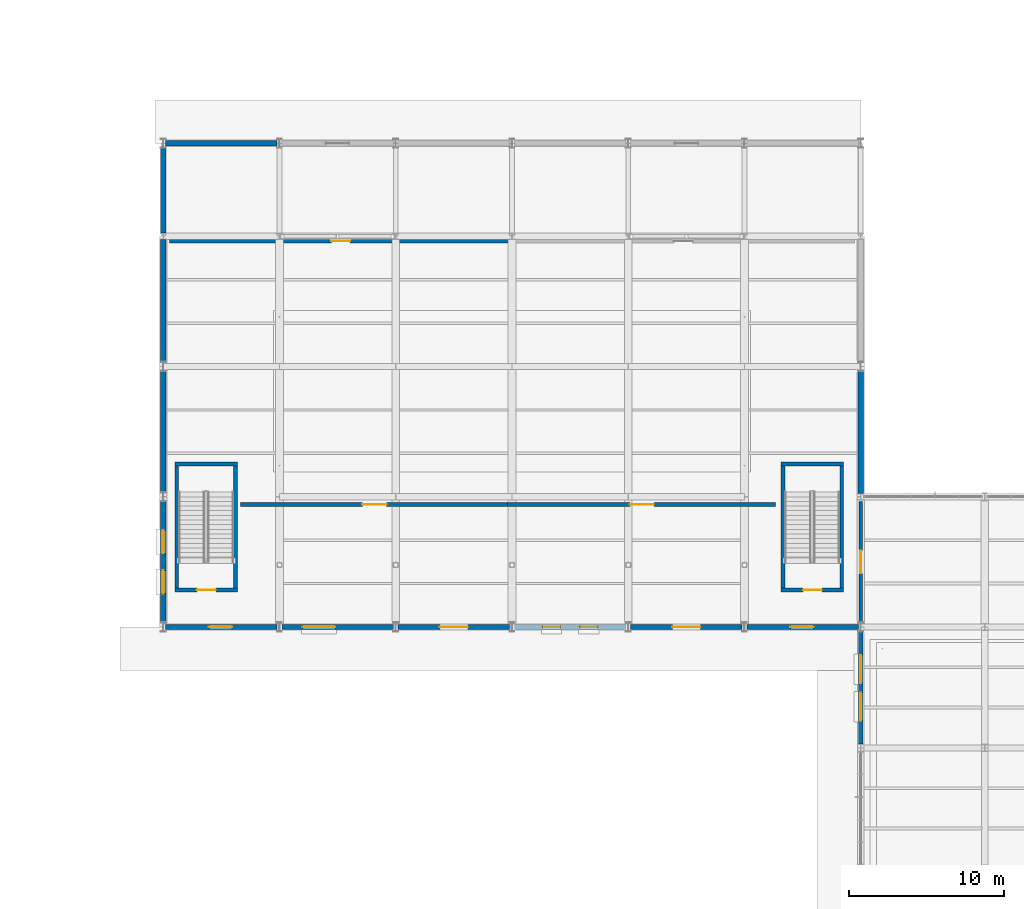
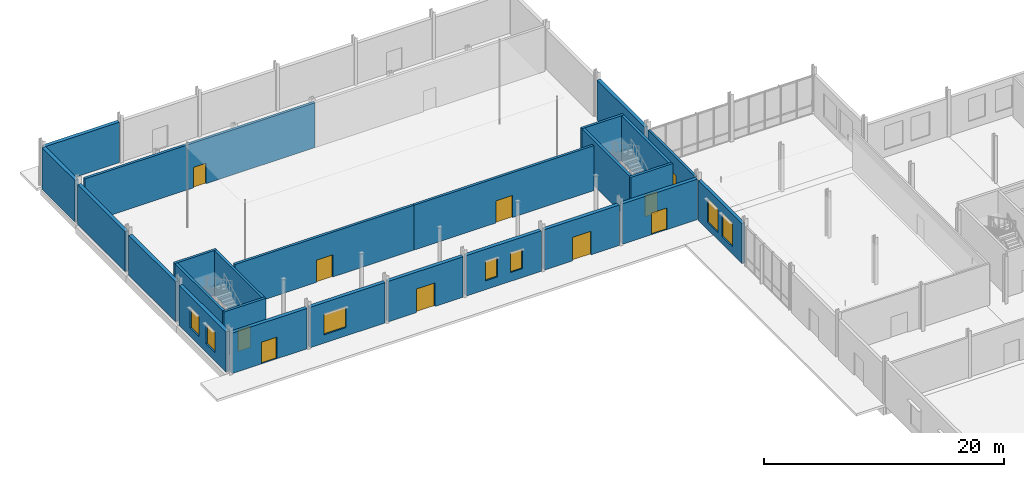
# One storey, part 55 of 82: 25 walls, 10 doors, 7 windows, 17 openings.
"""IFC4 building model written with IfcOpenShell, lengths in metres."""

from ifc_helpers import new_model, si_unit, direction, frame, frame_2d, origin, place, context, subcontext, project, spatial, rectangle, extrude, material, layer, layer_set, type_object, element, fill, save


model = new_model("IFC4")

# Units and contexts
model_context = context("Model", 3, precision=1e-05, world=origin(), true_north=direction((0.0, 1.0)))
body_context = subcontext(model_context, "Body", "Model", "MODEL_VIEW")
ifc_project = project(units=[si_unit("LENGTHUNIT", "METRE"), si_unit("AREAUNIT", "SQUARE_METRE"), si_unit("VOLUMEUNIT", "CUBIC_METRE"), si_unit("PLANEANGLEUNIT", "RADIAN"), si_unit("MASSUNIT", "GRAM", prefix="KILO")], contexts=[model_context])

# Site, building, storey
site_placement = place(None, origin())
site = spatial("IfcSite", under=ifc_project, at=site_placement, CompositionType="ELEMENT")
building_placement = place(site_placement, origin())
building = spatial("IfcBuilding", under=site, at=building_placement, Name="Yukiwa Park Conservatory and Herbarium", CompositionType="ELEMENT")
storey_placement = place(building_placement, origin())
storey = spatial("IfcBuildingStorey", under=building, at=storey_placement, Name="L00", CompositionType="ELEMENT", Elevation=0.0)

# Wall, opening, door
ifc_material_1 = material(Name="Concrete C50", Category="concrete")
ifc_layer_1 = layer(ifc_material_1, 0.239990234375)
ifc_layer_set_1 = layer_set([ifc_layer_1], Name="Concrete C50")
wall_type_1 = type_object("IfcWallType", Name="WL-CORE-RC240", PredefinedType="SHEAR", material=ifc_layer_set_1)
wall_1_placement = place(storey_placement, frame((15.760009765625, 80.3798828125, 0.0), z_axis=(0.0, 0.0, 1.0), x_axis=(1.0, 0.0, 0.0)))
wall_1 = element("IfcWall", 1, at=wall_1_placement, inside=storey, type_object=wall_type_1, Name="L00 core shear wall 117", PredefinedType="SHEAR", context=body_context, shape_type="SweptSolid", body=[
    extrude(rectangle(XDim=4.030029296875, YDim=0.239990234375, at=frame_2d((2.01513671875, 0.0))), origin(), (0.0, 0.0, 1.0), 4.56005859375),
])
opening_1_placement = place(wall_1_placement, frame((1.4150390625, 0.0, 0.0)))
opening_1 = element("IfcOpeningElement", 2, at=opening_1_placement, cuts=wall_1, Name="Opening SD-01", PredefinedType="OPENING", context=body_context, shape_type="SweptSolid", body=[
    extrude(rectangle(XDim=1.219970703125, YDim=2.179931640625, at=frame_2d((0.60986328125, 1.08984375))), frame((0.0, 0.1298828125, 0.0), z_axis=(0.0, -1.0, 0.0), x_axis=(1.0, 0.0, 0.0)), (0.0, 0.0, 1.0), 0.260009765625),
])
ifc_material_2 = material(Name="Steel Q235B", Category="steel")
door_type_1 = type_object("IfcDoorType", Name="DR-STAIR-FD90-1200", OperationType="SINGLE_SWING_LEFT", PredefinedType="DOOR", material=ifc_material_2)
door_1_placement = place(opening_1_placement, origin())
door_1 = element("IfcDoor", 3, at=door_1_placement, inside=storey, type_object=door_type_1, Name="L00 Stairwell ST-A1 fire door", OperationType="SINGLE_SWING_LEFT", OverallHeight=2.179931640625, OverallWidth=1.219970703125, PredefinedType="DOOR", context=body_context, shape_type="SweptSolid", body=[
    extrude(rectangle(XDim=1.219970703125, YDim=2.179931640625, at=frame_2d((0.60986328125, 1.08984375))), frame((0.0, 0.02490234375, 0.0), z_axis=(0.0, -1.0, 0.0), x_axis=(1.0, 0.0, 0.0)), (0.0, 0.0, 1.0), 0.050048828125),
])
fill(opening_1, door_1)

# Walls
wall_2_placement = place(storey_placement, frame((15.760009765625, 88.52001953125, 0.0), z_axis=(0.0, 0.0, 1.0), x_axis=(1.0, 0.0, 0.0)))
element("IfcWall", 4, at=wall_2_placement, inside=storey, type_object=wall_type_1, Name="L00 core shear wall 118", PredefinedType="SHEAR", context=body_context, shape_type="SweptSolid", body=[
    extrude(rectangle(XDim=4.030029296875, YDim=0.239990234375, at=frame_2d((2.01513671875, 0.0))), origin(), (0.0, 0.0, 1.0), 4.56005859375),
])
for number, where, z_axis, x_axis, name in (
    (5, (15.8798828125, 80.5, 0.0), (0.0, 0.0, 1.0), (0.0, 1.0, 0.0), "L00 core shear wall 119"),
    (6, (19.669921875, 80.5, 0.0), (0.0, 0.0, 1.0), (0.0, 1.0, 0.0), "L00 core shear wall 120"),
):
    element("IfcWall", number, at=place(storey_placement, frame(where, z_axis=z_axis, x_axis=x_axis)), inside=storey, type_object=wall_type_1, Name=name, PredefinedType="SHEAR", context=body_context, shape_type="SweptSolid", body=[
        extrude(rectangle(XDim=7.89990234375, YDim=0.239990234375, at=frame_2d((3.949951171875, 0.0))), origin(), (0.0, 0.0, 1.0), 4.56005859375),
    ])

# Wall, opening, door
wall_3_placement = place(storey_placement, frame((54.860107421875, 80.3798828125, 0.0), z_axis=(0.0, 0.0, 1.0), x_axis=(1.0, 0.0, 0.0)))
wall_3 = element("IfcWall", 7, at=wall_3_placement, inside=storey, type_object=wall_type_1, Name="L00 core shear wall 121", PredefinedType="SHEAR", context=body_context, shape_type="SweptSolid", body=[
    extrude(rectangle(XDim=4.02978515625, YDim=0.239990234375, at=frame_2d((2.014892578125, 0.0))), origin(), (0.0, 0.0, 1.0), 4.56005859375),
])
opening_2_placement = place(wall_3_placement, frame((1.4150390625, 0.0, 0.0)))
opening_2 = element("IfcOpeningElement", 8, at=opening_2_placement, cuts=wall_3, Name="Opening SD-01", PredefinedType="OPENING", context=body_context, shape_type="SweptSolid", body=[
    extrude(rectangle(XDim=1.219970703125, YDim=2.179931640625, at=frame_2d((0.60986328125, 1.08984375))), frame((0.0, 0.1298828125, 0.0), z_axis=(0.0, -1.0, 0.0), x_axis=(1.0, 0.0, 0.0)), (0.0, 0.0, 1.0), 0.260009765625),
])
door_2_placement = place(opening_2_placement, origin())
door_2 = element("IfcDoor", 9, at=door_2_placement, inside=storey, type_object=door_type_1, Name="L00 Stairwell ST-A2 fire door", OperationType="SINGLE_SWING_LEFT", OverallHeight=2.179931640625, OverallWidth=1.219970703125, PredefinedType="DOOR", context=body_context, shape_type="SweptSolid", body=[
    extrude(rectangle(XDim=1.219970703125, YDim=2.179931640625, at=frame_2d((0.60986328125, 1.08984375))), frame((0.0, 0.02490234375, 0.0), z_axis=(0.0, -1.0, 0.0), x_axis=(1.0, 0.0, 0.0)), (0.0, 0.0, 1.0), 0.050048828125),
])
fill(opening_2, door_2)

# Walls
wall_4_placement = place(storey_placement, frame((54.860107421875, 88.52001953125, 0.0), z_axis=(0.0, 0.0, 1.0), x_axis=(1.0, 0.0, 0.0)))
element("IfcWall", 10, at=wall_4_placement, inside=storey, type_object=wall_type_1, Name="L00 core shear wall 122", PredefinedType="SHEAR", context=body_context, shape_type="SweptSolid", body=[
    extrude(rectangle(XDim=4.02978515625, YDim=0.239990234375, at=frame_2d((2.014892578125, 0.0))), origin(), (0.0, 0.0, 1.0), 4.56005859375),
])
for number, where, z_axis, x_axis, name in (
    (11, (54.97998046875, 80.5, 0.0), (0.0, 0.0, 1.0), (0.0, 1.0, 0.0), "L00 core shear wall 123"),
    (12, (58.77001953125, 80.5, 0.0), (0.0, 0.0, 1.0), (0.0, 1.0, 0.0), "L00 core shear wall 124"),
):
    element("IfcWall", number, at=place(storey_placement, frame(where, z_axis=z_axis, x_axis=x_axis)), inside=storey, type_object=wall_type_1, Name=name, PredefinedType="SHEAR", context=body_context, shape_type="SweptSolid", body=[
        extrude(rectangle(XDim=7.89990234375, YDim=0.239990234375, at=frame_2d((3.949951171875, 0.0))), origin(), (0.0, 0.0, 1.0), 4.56005859375),
    ])
ifc_material_3 = material(Name="Pale Granite Cladding", Category="masonry")
ifc_layer_2 = layer(ifc_material_3, 0.340087890625)
ifc_layer_set_2 = layer_set([ifc_layer_2], Name="Pale Granite Cladding")
wall_type_2 = type_object("IfcWallType", Name="WL-EXT-AUD-340", PredefinedType="SOLIDWALL", material=ifc_layer_set_2)
wall_5_placement = place(storey_placement, frame((60.0, 86.60009765625, 0.0), z_axis=(0.0, 0.0, 1.0), x_axis=(0.0, 1.0, 0.0)))
element("IfcWall", 13, at=wall_5_placement, inside=storey, type_object=wall_type_2, Name="L00 exterior envelope wall 127", PredefinedType="SOLIDWALL", context=body_context, shape_type="SweptSolid", body=[
    extrude(rectangle(XDim=7.906005859375, YDim=0.340087890625, at=frame_2d((3.953125, 0.0))), origin(), (0.0, 0.0, 1.0), 4.06005859375),
])
wall_6_placement = place(storey_placement, frame((22.35009765625, 109.199951171875, 0.0), z_axis=(0.0, 0.0, 1.0), x_axis=(-1.0, 0.0, 0.0)))
element("IfcWall", 14, at=wall_6_placement, inside=storey, type_object=wall_type_2, Name="L00 exterior envelope wall 135", PredefinedType="SOLIDWALL", context=body_context, shape_type="SweptSolid", body=[
    extrude(rectangle(XDim=7.2001953125, YDim=0.340087890625, at=frame_2d((3.60009765625, 0.0))), origin(), (0.0, 0.0, 1.0), 4.110107421875),
])
wall_7_placement = place(storey_placement, frame((15.0, 108.906005859375, 0.0), z_axis=(0.0, 0.0, 1.0), x_axis=(0.0, -1.0, 0.0)))
element("IfcWall", 15, at=wall_7_placement, inside=storey, type_object=wall_type_2, Name="L00 exterior envelope wall 136", PredefinedType="SOLIDWALL", context=body_context, shape_type="SweptSolid", body=[
    extrude(rectangle(XDim=5.506103515625, YDim=0.340087890625, at=frame_2d((2.7529296875, 0.0))), origin(), (0.0, 0.0, 1.0), 4.219970703125),
])
wall_8_placement = place(storey_placement, frame((15.0, 103.0, 0.0), z_axis=(0.0, 0.0, 1.0), x_axis=(0.0, -1.0, 0.0)))
element("IfcWall", 16, at=wall_8_placement, inside=storey, type_object=wall_type_2, Name="L00 exterior envelope wall 137", PredefinedType="SOLIDWALL", context=body_context, shape_type="SweptSolid", body=[
    extrude(rectangle(XDim=7.906005859375, YDim=0.340087890625, at=frame_2d((3.953125, 0.0))), origin(), (0.0, 0.0, 1.0), 4.06005859375),
])
wall_9_placement = place(storey_placement, frame((15.0, 94.506103515625, 0.0), z_axis=(0.0, 0.0, 1.0), x_axis=(0.0, -1.0, 0.0)))
element("IfcWall", 17, at=wall_9_placement, inside=storey, type_object=wall_type_2, Name="L00 exterior envelope wall 138", PredefinedType="SOLIDWALL", context=body_context, shape_type="SweptSolid", body=[
    extrude(rectangle(XDim=7.81201171875, YDim=0.340087890625, at=frame_2d((3.906005859375, 0.0))), origin(), (0.0, 0.0, 1.0), 4.06005859375),
])

# Wall, openings, windows
wall_10_placement = place(storey_placement, frame((15.0, 86.10595703125, 0.0), z_axis=(0.0, 0.0, 1.0), x_axis=(0.0, -1.0, 0.0)))
wall_10 = element("IfcWall", 18, at=wall_10_placement, inside=storey, type_object=wall_type_2, Name="L00 exterior envelope wall 139", PredefinedType="SOLIDWALL", context=body_context, shape_type="SweptSolid", body=[
    extrude(rectangle(XDim=7.81201171875, YDim=0.340087890625, at=frame_2d((3.906005859375, 0.0))), origin(), (0.0, 0.0, 1.0), 4.06005859375),
])
opening_3_placement = place(wall_10_placement, frame((1.85400390625, 0.0, 0.85009765625)))
opening_3 = element("IfcOpeningElement", 19, at=opening_3_placement, cuts=wall_10, Name="Opening W-05", PredefinedType="OPENING", context=body_context, shape_type="SweptSolid", body=[
    extrude(rectangle(XDim=1.5, YDim=2.10009765625, at=frame_2d((0.75, 1.050048828125))), frame((0.0, 0.18017578125, 0.0), z_axis=(0.0, -1.0, 0.0), x_axis=(1.0, 0.0, 0.0)), (0.0, 0.0, 1.0), 0.360107421875),
])
opening_4_placement = place(wall_10_placement, frame((4.4580078125, 0.0, 0.85009765625)))
opening_4 = element("IfcOpeningElement", 20, at=opening_4_placement, cuts=wall_10, Name="Opening W-05", PredefinedType="OPENING", context=body_context, shape_type="SweptSolid", body=[
    extrude(rectangle(XDim=1.5, YDim=2.10009765625, at=frame_2d((0.75, 1.050048828125))), frame((0.0, 0.18017578125, 0.0), z_axis=(0.0, -1.0, 0.0), x_axis=(1.0, 0.0, 0.0)), (0.0, 0.0, 1.0), 0.360107421875),
])
ifc_material_4 = material(Name="Triple Low-E Insulated Glass", Category="glass")
window_type_1 = type_object("IfcWindowType", Name="WN-TW-1500X2100", PartitioningType="SINGLE_PANEL", PredefinedType="WINDOW", material=ifc_material_4)
window_1_placement = place(opening_3_placement, origin())
window_1 = element("IfcWindow", 21, at=window_1_placement, inside=storey, type_object=window_type_1, Name="L00 deep-reveal triple-glazed window 35", OverallHeight=2.10009765625, OverallWidth=1.5, PartitioningType="SINGLE_PANEL", PredefinedType="WINDOW", context=body_context, shape_type="SweptSolid", body=[
    extrude(rectangle(XDim=1.5, YDim=2.10009765625, at=frame_2d((0.75, 1.050048828125))), frame((0.0, 0.030029296875, 0.0), z_axis=(0.0, -1.0, 0.0), x_axis=(1.0, 0.0, 0.0)), (0.0, 0.0, 1.0), 0.06005859375),
])
fill(opening_3, window_1)
window_2_placement = place(opening_4_placement, origin())
window_2 = element("IfcWindow", 22, at=window_2_placement, inside=storey, type_object=window_type_1, Name="L00 deep-reveal triple-glazed window 36", OverallHeight=2.10009765625, OverallWidth=1.5, PartitioningType="SINGLE_PANEL", PredefinedType="WINDOW", context=body_context, shape_type="SweptSolid", body=[
    extrude(rectangle(XDim=1.5, YDim=2.10009765625, at=frame_2d((0.75, 1.050048828125))), frame((0.0, 0.030029296875, 0.0), z_axis=(0.0, -1.0, 0.0), x_axis=(1.0, 0.0, 0.0)), (0.0, 0.0, 1.0), 0.06005859375),
])
fill(opening_4, window_2)

# Wall, opening, door
wall_11_placement = place(storey_placement, frame((15.14990234375, 78.0, 0.0), z_axis=(0.0, 0.0, 1.0), x_axis=(1.0, 0.0, 0.0)))
wall_11 = element("IfcWall", 23, at=wall_11_placement, inside=storey, type_object=wall_type_2, Name="L00 exterior envelope wall 140", PredefinedType="SOLIDWALL", context=body_context, shape_type="SweptSolid", body=[
    extrude(rectangle(XDim=7.2001953125, YDim=0.340087890625, at=frame_2d((3.60009765625, 0.0))), origin(), (0.0, 0.0, 1.0), 4.110107421875),
])
opening_5_placement = place(wall_11_placement, frame((2.800048828125, 0.0, 0.0)))
opening_5 = element("IfcOpeningElement", 24, at=opening_5_placement, cuts=wall_11, Name="Opening EX-D3", PredefinedType="OPENING", context=body_context, shape_type="SweptSolid", body=[
    extrude(rectangle(XDim=1.5, YDim=2.199951171875, at=frame_2d((0.75, 1.10009765625))), frame((0.0, 0.18017578125, 0.0), z_axis=(0.0, -1.0, 0.0), x_axis=(1.0, 0.0, 0.0)), (0.0, 0.0, 1.0), 0.360107421875),
])
ifc_material_5 = material(Name="Steel Q235B", Category="steel")
door_type_2 = type_object("IfcDoorType", Name="DR-EXT-1500X2200", OperationType="DOUBLE_DOOR_SINGLE_SWING", PredefinedType="DOOR", material=ifc_material_5)
door_3_placement = place(opening_5_placement, frame((1.5, 0.0, 0.0), z_axis=(0.0, 0.0, 1.0), x_axis=(-1.0, 0.0, 0.0)))
door_3 = element("IfcDoor", 25, at=door_3_placement, inside=storey, type_object=door_type_2, Name="Auditorium SW stair discharge EX-13", OperationType="DOUBLE_DOOR_SINGLE_SWING", OverallHeight=2.199951171875, OverallWidth=1.5, PredefinedType="DOOR", context=body_context, shape_type="SweptSolid", body=[
    extrude(rectangle(XDim=1.5, YDim=2.199951171875, at=frame_2d((0.75, 1.10009765625))), frame((0.0, 0.02490234375, 0.0), z_axis=(0.0, -1.0, 0.0), x_axis=(1.0, 0.0, 0.0)), (0.0, 0.0, 1.0), 0.050048828125),
])
fill(opening_5, door_3)

# Wall, opening, window
wall_12_placement = place(storey_placement, frame((22.64990234375, 78.0, 0.0), z_axis=(0.0, 0.0, 1.0), x_axis=(1.0, 0.0, 0.0)))
wall_12 = element("IfcWall", 26, at=wall_12_placement, inside=storey, type_object=wall_type_2, Name="L00 exterior envelope wall 141", PredefinedType="SOLIDWALL", context=body_context, shape_type="SweptSolid", body=[
    extrude(rectangle(XDim=7.2001953125, YDim=0.340087890625, at=frame_2d((3.60009765625, 0.0))), origin(), (0.0, 0.0, 1.0), 4.110107421875),
])
opening_6_placement = place(wall_12_placement, frame((1.35009765625, 0.0, 0.85009765625)))
opening_6 = element("IfcOpeningElement", 27, at=opening_6_placement, cuts=wall_12, Name="Opening W-08", PredefinedType="OPENING", context=body_context, shape_type="SweptSolid", body=[
    extrude(rectangle(XDim=2.10009765625, YDim=2.10009765625, at=frame_2d((1.050048828125, 1.050048828125))), frame((0.0, 0.18017578125, 0.0), z_axis=(0.0, -1.0, 0.0), x_axis=(1.0, 0.0, 0.0)), (0.0, 0.0, 1.0), 0.360107421875),
])
ifc_material_6 = material(Name="Triple Low-E Insulated Glass", Category="glass")
window_type_2 = type_object("IfcWindowType", Name="WN-TW-2100X2100", PartitioningType="SINGLE_PANEL", PredefinedType="WINDOW", material=ifc_material_6)
window_3_placement = place(opening_6_placement, origin())
window_3 = element("IfcWindow", 28, at=window_3_placement, inside=storey, type_object=window_type_2, Name="L00 deep-reveal triple-glazed window 37", OverallHeight=2.10009765625, OverallWidth=2.10009765625, PartitioningType="SINGLE_PANEL", PredefinedType="WINDOW", context=body_context, shape_type="SweptSolid", body=[
    extrude(rectangle(XDim=2.10009765625, YDim=2.10009765625, at=frame_2d((1.050048828125, 1.050048828125))), frame((0.0, 0.030029296875, 0.0), z_axis=(0.0, -1.0, 0.0), x_axis=(1.0, 0.0, 0.0)), (0.0, 0.0, 1.0), 0.06005859375),
])
fill(opening_6, window_3)

# Wall, opening, door
wall_13_placement = place(storey_placement, frame((30.14990234375, 78.0, 0.0), z_axis=(0.0, 0.0, 1.0), x_axis=(1.0, 0.0, 0.0)))
wall_13 = element("IfcWall", 29, at=wall_13_placement, inside=storey, type_object=wall_type_2, Name="L00 exterior envelope wall 142", PredefinedType="SOLIDWALL", context=body_context, shape_type="SweptSolid", body=[
    extrude(rectangle(XDim=7.2001953125, YDim=0.340087890625, at=frame_2d((3.60009765625, 0.0))), origin(), (0.0, 0.0, 1.0), 4.110107421875),
])
opening_7_placement = place(wall_13_placement, frame((2.699951171875, 0.0, 0.0)))
opening_7 = element("IfcOpeningElement", 30, at=opening_7_placement, cuts=wall_13, Name="Opening EX-D1", PredefinedType="OPENING", context=body_context, shape_type="SweptSolid", body=[
    extrude(rectangle(XDim=1.800048828125, YDim=2.39990234375, at=frame_2d((0.89990234375, 1.199951171875))), frame((0.0, 0.18017578125, 0.0), z_axis=(0.0, -1.0, 0.0), x_axis=(1.0, 0.0, 0.0)), (0.0, 0.0, 1.0), 0.360107421875),
])
ifc_material_7 = material(Name="Anodised Aluminium", Category="aluminium")
door_type_3 = type_object("IfcDoorType", Name="DR-EXT-1800X2400", OperationType="DOUBLE_DOOR_SINGLE_SWING", PredefinedType="DOOR", material=ifc_material_7)
door_4_placement = place(opening_7_placement, frame((1.800048828125, 0.0, 0.0), z_axis=(0.0, 0.0, 1.0), x_axis=(-1.0, 0.0, 0.0)))
door_4 = element("IfcDoor", 31, at=door_4_placement, inside=storey, type_object=door_type_3, Name="Auditorium South garden foyer portal W EX-14", OperationType="DOUBLE_DOOR_SINGLE_SWING", OverallHeight=2.39990234375, OverallWidth=1.800048828125, PredefinedType="DOOR", context=body_context, shape_type="SweptSolid", body=[
    extrude(rectangle(XDim=1.800048828125, YDim=2.39990234375, at=frame_2d((0.89990234375, 1.199951171875))), frame((0.0, 0.02490234375, 0.0), z_axis=(0.0, -1.0, 0.0), x_axis=(1.0, 0.0, 0.0)), (0.0, 0.0, 1.0), 0.050048828125),
])
fill(opening_7, door_4)

# Wall, openings, windows
wall_14_placement = place(storey_placement, frame((37.64990234375, 78.0, 0.0), z_axis=(0.0, 0.0, 1.0), x_axis=(1.0, 0.0, 0.0)))
wall_14 = element("IfcWall", 32, at=wall_14_placement, inside=storey, type_object=wall_type_2, Name="L00 exterior envelope wall 143", PredefinedType="SOLIDWALL", context=body_context, shape_type="SweptSolid", body=[
    extrude(rectangle(XDim=7.2001953125, YDim=0.340087890625, at=frame_2d((3.60009765625, 0.0))), origin(), (0.0, 0.0, 1.0), 4.110107421875),
])
opening_8_placement = place(wall_14_placement, frame((1.824951171875, 0.0, 0.89990234375)))
opening_8 = element("IfcOpeningElement", 33, at=opening_8_placement, cuts=wall_14, Name="Opening W-22", PredefinedType="OPENING", context=body_context, shape_type="SweptSolid", body=[
    extrude(rectangle(XDim=1.14990234375, YDim=2.0, at=frame_2d((0.574951171875, 1.0))), frame((0.0, 0.18017578125, 0.0), z_axis=(0.0, -1.0, 0.0), x_axis=(1.0, 0.0, 0.0)), (0.0, 0.0, 1.0), 0.360107421875),
])
opening_9_placement = place(wall_14_placement, frame((4.22509765625, 0.0, 0.89990234375)))
opening_9 = element("IfcOpeningElement", 34, at=opening_9_placement, cuts=wall_14, Name="Opening W-22", PredefinedType="OPENING", context=body_context, shape_type="SweptSolid", body=[
    extrude(rectangle(XDim=1.14990234375, YDim=2.0, at=frame_2d((0.574951171875, 1.0))), frame((0.0, 0.18017578125, 0.0), z_axis=(0.0, -1.0, 0.0), x_axis=(1.0, 0.0, 0.0)), (0.0, 0.0, 1.0), 0.360107421875),
])
ifc_material_8 = material(Name="Triple Low-E Insulated Glass", Category="glass")
window_type_3 = type_object("IfcWindowType", Name="WN-TW-1150X2000", PartitioningType="SINGLE_PANEL", PredefinedType="WINDOW", material=ifc_material_8)
window_4_placement = place(opening_8_placement, origin())
window_4 = element("IfcWindow", 35, at=window_4_placement, inside=storey, type_object=window_type_3, Name="L00 deep-reveal triple-glazed window 38", OverallHeight=2.0, OverallWidth=1.14990234375, PartitioningType="SINGLE_PANEL", PredefinedType="WINDOW", context=body_context, shape_type="SweptSolid", body=[
    extrude(rectangle(XDim=1.14990234375, YDim=2.0, at=frame_2d((0.574951171875, 1.0))), frame((0.0, 0.030029296875, 0.0), z_axis=(0.0, -1.0, 0.0), x_axis=(1.0, 0.0, 0.0)), (0.0, 0.0, 1.0), 0.06005859375),
])
fill(opening_8, window_4)
window_5_placement = place(opening_9_placement, origin())
window_5 = element("IfcWindow", 36, at=window_5_placement, inside=storey, type_object=window_type_3, Name="L00 deep-reveal triple-glazed window 39", OverallHeight=2.0, OverallWidth=1.14990234375, PartitioningType="SINGLE_PANEL", PredefinedType="WINDOW", context=body_context, shape_type="SweptSolid", body=[
    extrude(rectangle(XDim=1.14990234375, YDim=2.0, at=frame_2d((0.574951171875, 1.0))), frame((0.0, 0.030029296875, 0.0), z_axis=(0.0, -1.0, 0.0), x_axis=(1.0, 0.0, 0.0)), (0.0, 0.0, 1.0), 0.06005859375),
])
fill(opening_9, window_5)

# Wall, opening, door
wall_15_placement = place(storey_placement, frame((45.14990234375, 78.0, 0.0), z_axis=(0.0, 0.0, 1.0), x_axis=(1.0, 0.0, 0.0)))
wall_15 = element("IfcWall", 37, at=wall_15_placement, inside=storey, type_object=wall_type_2, Name="L00 exterior envelope wall 144", PredefinedType="SOLIDWALL", context=body_context, shape_type="SweptSolid", body=[
    extrude(rectangle(XDim=7.2001953125, YDim=0.340087890625, at=frame_2d((3.60009765625, 0.0))), origin(), (0.0, 0.0, 1.0), 4.110107421875),
])
opening_10_placement = place(wall_15_placement, frame((2.699951171875, 0.0, 0.0)))
opening_10 = element("IfcOpeningElement", 38, at=opening_10_placement, cuts=wall_15, Name="Opening EX-D1", PredefinedType="OPENING", context=body_context, shape_type="SweptSolid", body=[
    extrude(rectangle(XDim=1.800048828125, YDim=2.39990234375, at=frame_2d((0.89990234375, 1.199951171875))), frame((0.0, 0.18017578125, 0.0), z_axis=(0.0, -1.0, 0.0), x_axis=(1.0, 0.0, 0.0)), (0.0, 0.0, 1.0), 0.360107421875),
])
door_5_placement = place(opening_10_placement, frame((1.800048828125, 0.0, 0.0), z_axis=(0.0, 0.0, 1.0), x_axis=(-1.0, 0.0, 0.0)))
door_5 = element("IfcDoor", 39, at=door_5_placement, inside=storey, type_object=door_type_3, Name="Auditorium South garden foyer portal E EX-15", OperationType="DOUBLE_DOOR_SINGLE_SWING", OverallHeight=2.39990234375, OverallWidth=1.800048828125, PredefinedType="DOOR", context=body_context, shape_type="SweptSolid", body=[
    extrude(rectangle(XDim=1.800048828125, YDim=2.39990234375, at=frame_2d((0.89990234375, 1.199951171875))), frame((0.0, 0.02490234375, 0.0), z_axis=(0.0, -1.0, 0.0), x_axis=(1.0, 0.0, 0.0)), (0.0, 0.0, 1.0), 0.050048828125),
])
fill(opening_10, door_5)

wall_16_placement = place(storey_placement, frame((52.64990234375, 78.0, 0.0), z_axis=(0.0, 0.0, 1.0), x_axis=(1.0, 0.0, 0.0)))
wall_16 = element("IfcWall", 40, at=wall_16_placement, inside=storey, type_object=wall_type_2, Name="L00 exterior envelope wall 145", PredefinedType="SOLIDWALL", context=body_context, shape_type="SweptSolid", body=[
    extrude(rectangle(XDim=7.2001953125, YDim=0.340087890625, at=frame_2d((3.60009765625, 0.0))), origin(), (0.0, 0.0, 1.0), 4.110107421875),
])
opening_11_placement = place(wall_16_placement, frame((2.800048828125, 0.0, 0.0)))
opening_11 = element("IfcOpeningElement", 41, at=opening_11_placement, cuts=wall_16, Name="Opening EX-D3", PredefinedType="OPENING", context=body_context, shape_type="SweptSolid", body=[
    extrude(rectangle(XDim=1.5, YDim=2.199951171875, at=frame_2d((0.75, 1.10009765625))), frame((0.0, 0.18017578125, 0.0), z_axis=(0.0, -1.0, 0.0), x_axis=(1.0, 0.0, 0.0)), (0.0, 0.0, 1.0), 0.360107421875),
])
door_6_placement = place(opening_11_placement, frame((1.5, 0.0, 0.0), z_axis=(0.0, 0.0, 1.0), x_axis=(-1.0, 0.0, 0.0)))
door_6 = element("IfcDoor", 42, at=door_6_placement, inside=storey, type_object=door_type_2, Name="Auditorium SE stair discharge EX-16", OperationType="DOUBLE_DOOR_SINGLE_SWING", OverallHeight=2.199951171875, OverallWidth=1.5, PredefinedType="DOOR", context=body_context, shape_type="SweptSolid", body=[
    extrude(rectangle(XDim=1.5, YDim=2.199951171875, at=frame_2d((0.75, 1.10009765625))), frame((0.0, 0.02490234375, 0.0), z_axis=(0.0, -1.0, 0.0), x_axis=(1.0, 0.0, 0.0)), (0.0, 0.0, 1.0), 0.050048828125),
])
fill(opening_11, door_6)

# Wall, openings, windows
ifc_material_9 = material(Name="Charred Larch Cladding", Category="wood")
ifc_layer_3 = layer(ifc_material_9, 0.2900390625)
ifc_layer_set_3 = layer_set([ifc_layer_3], Name="Charred Larch Cladding")
wall_type_3 = type_object("IfcWallType", Name="WL-EXT-LARCH-290", PredefinedType="SOLIDWALL", material=ifc_layer_set_3)
wall_17_placement = place(storey_placement, frame((60.0, 77.7060546875, 0.0), z_axis=(0.0, 0.0, 1.0), x_axis=(0.0, -1.0, 0.0)))
wall_17 = element("IfcWall", 43, at=wall_17_placement, inside=storey, type_object=wall_type_3, Name="L00 exterior envelope wall 146", PredefinedType="SOLIDWALL", context=body_context, shape_type="SweptSolid", body=[
    extrude(rectangle(XDim=7.261962890625, YDim=0.2900390625, at=frame_2d((3.630859375, 0.0))), origin(), (0.0, 0.0, 1.0), 4.06591796875),
])
opening_12_placement = place(wall_17_placement, frame((1.52099609375, 0.0, 0.75)))
opening_12 = element("IfcOpeningElement", 44, at=opening_12_placement, cuts=wall_17, Name="Opening W-12", PredefinedType="OPENING", context=body_context, shape_type="SweptSolid", body=[
    extrude(rectangle(XDim=1.800048828125, YDim=2.39990234375, at=frame_2d((0.89990234375, 1.199951171875))), frame((0.0, 0.155029296875, 0.0), z_axis=(0.0, -1.0, 0.0), x_axis=(1.0, 0.0, 0.0)), (0.0, 0.0, 1.0), 0.31005859375),
])
opening_13_placement = place(wall_17_placement, frame((3.94091796875, 0.0, 0.75)))
opening_13 = element("IfcOpeningElement", 45, at=opening_13_placement, cuts=wall_17, Name="Opening W-12", PredefinedType="OPENING", context=body_context, shape_type="SweptSolid", body=[
    extrude(rectangle(XDim=1.800048828125, YDim=2.39990234375, at=frame_2d((0.89990234375, 1.199951171875))), frame((0.0, 0.155029296875, 0.0), z_axis=(0.0, -1.0, 0.0), x_axis=(1.0, 0.0, 0.0)), (0.0, 0.0, 1.0), 0.31005859375),
])
ifc_material_10 = material(Name="Triple Low-E Insulated Glass", Category="glass")
window_type_4 = type_object("IfcWindowType", Name="WN-VS-1800X2400", PartitioningType="SINGLE_PANEL", PredefinedType="WINDOW", material=ifc_material_10)
window_6_placement = place(opening_12_placement, origin())
window_6 = element("IfcWindow", 46, at=window_6_placement, inside=storey, type_object=window_type_4, Name="L00 deep-reveal triple-glazed window 40", OverallHeight=2.39990234375, OverallWidth=1.800048828125, PartitioningType="SINGLE_PANEL", PredefinedType="WINDOW", context=body_context, shape_type="SweptSolid", body=[
    extrude(rectangle(XDim=1.800048828125, YDim=2.39990234375, at=frame_2d((0.89990234375, 1.199951171875))), frame((0.0, 0.030029296875, 0.0), z_axis=(0.0, -1.0, 0.0), x_axis=(1.0, 0.0, 0.0)), (0.0, 0.0, 1.0), 0.06005859375),
])
fill(opening_12, window_6)
window_7_placement = place(opening_13_placement, origin())
window_7 = element("IfcWindow", 47, at=window_7_placement, inside=storey, type_object=window_type_4, Name="L00 deep-reveal triple-glazed window 41", OverallHeight=2.39990234375, OverallWidth=1.800048828125, PartitioningType="SINGLE_PANEL", PredefinedType="WINDOW", context=body_context, shape_type="SweptSolid", body=[
    extrude(rectangle(XDim=1.800048828125, YDim=2.39990234375, at=frame_2d((0.89990234375, 1.199951171875))), frame((0.0, 0.030029296875, 0.0), z_axis=(0.0, -1.0, 0.0), x_axis=(1.0, 0.0, 0.0)), (0.0, 0.0, 1.0), 0.06005859375),
])
fill(opening_13, window_7)

# Wall, opening, door
ifc_material_11 = material(Name="Gypsum Board Partition", Category="gypsum")
ifc_layer_4 = layer(ifc_material_11, 0.239990234375)
ifc_layer_set_4 = layer_set([ifc_layer_4], Name="Gypsum Board Partition")
wall_type_4 = type_object("IfcWallType", Name="WL-PART-ACOUST-240", PredefinedType="SOLIDWALL", material=ifc_layer_set_4)
wall_18_placement = place(storey_placement, frame((20.0, 85.89990234375, 0.0), z_axis=(0.0, 0.0, 1.0), x_axis=(1.0, 0.0, 0.0)))
wall_18 = element("IfcWall", 48, at=wall_18_placement, inside=storey, type_object=wall_type_4, Name="L00 interior partition wall 147", PredefinedType="SOLIDWALL", context=body_context, shape_type="SweptSolid", body=[
    extrude(rectangle(XDim=17.199951171875, YDim=0.239990234375, at=frame_2d((8.60009765625, 0.0))), origin(), (0.0, 0.0, 1.0), 4.56005859375),
])
opening_14_placement = place(wall_18_placement, frame((7.85009765625, 0.0, 0.0)))
opening_14 = element("IfcOpeningElement", 49, at=opening_14_placement, cuts=wall_18, Name="Opening AD-01", PredefinedType="OPENING", context=body_context, shape_type="SweptSolid", body=[
    extrude(rectangle(XDim=1.56005859375, YDim=2.25, at=frame_2d((0.780029296875, 1.125))), frame((0.0, 0.1298828125, 0.0), z_axis=(0.0, -1.0, 0.0), x_axis=(1.0, 0.0, 0.0)), (0.0, 0.0, 1.0), 0.260009765625),
])
ifc_material_12 = material(Name="Charred Larch Cladding", Category="wood")
door_type_4 = type_object("IfcDoorType", Name="DR-ACOUST-1500", OperationType="DOUBLE_DOOR_SINGLE_SWING", PredefinedType="DOOR", material=ifc_material_12)
door_7_placement = place(opening_14_placement, origin())
door_7 = element("IfcDoor", 50, at=door_7_placement, inside=storey, type_object=door_type_4, Name="L00 Auditorium Hall acoustic double door W", OperationType="DOUBLE_DOOR_SINGLE_SWING", OverallHeight=2.25, OverallWidth=1.56005859375, PredefinedType="DOOR", context=body_context, shape_type="SweptSolid", body=[
    extrude(rectangle(XDim=1.56005859375, YDim=2.25, at=frame_2d((0.780029296875, 1.125))), frame((0.0, 0.02490234375, 0.0), z_axis=(0.0, -1.0, 0.0), x_axis=(1.0, 0.0, 0.0)), (0.0, 0.0, 1.0), 0.050048828125),
])
fill(opening_14, door_7)

wall_19_placement = place(storey_placement, frame((37.199951171875, 85.89990234375, 0.0), z_axis=(0.0, 0.0, 1.0), x_axis=(1.0, 0.0, 0.0)))
wall_19 = element("IfcWall", 51, at=wall_19_placement, inside=storey, type_object=wall_type_4, Name="L00 interior partition wall 148", PredefinedType="SOLIDWALL", context=body_context, shape_type="SweptSolid", body=[
    extrude(rectangle(XDim=17.300048828125, YDim=0.239990234375, at=frame_2d((8.64990234375, 0.0))), origin(), (0.0, 0.0, 1.0), 4.56005859375),
])
opening_15_placement = place(wall_19_placement, frame((7.89990234375, 0.0, 0.0)))
opening_15 = element("IfcOpeningElement", 52, at=opening_15_placement, cuts=wall_19, Name="Opening AD-01", PredefinedType="OPENING", context=body_context, shape_type="SweptSolid", body=[
    extrude(rectangle(XDim=1.56005859375, YDim=2.25, at=frame_2d((0.780029296875, 1.125))), frame((0.0, 0.1298828125, 0.0), z_axis=(0.0, -1.0, 0.0), x_axis=(1.0, 0.0, 0.0)), (0.0, 0.0, 1.0), 0.260009765625),
])
door_8_placement = place(opening_15_placement, origin())
door_8 = element("IfcDoor", 53, at=door_8_placement, inside=storey, type_object=door_type_4, Name="L00 Auditorium Hall acoustic double door E", OperationType="DOUBLE_DOOR_SINGLE_SWING", OverallHeight=2.25, OverallWidth=1.56005859375, PredefinedType="DOOR", context=body_context, shape_type="SweptSolid", body=[
    extrude(rectangle(XDim=1.56005859375, YDim=2.25, at=frame_2d((0.780029296875, 1.125))), frame((0.0, 0.02490234375, 0.0), z_axis=(0.0, -1.0, 0.0), x_axis=(1.0, 0.0, 0.0)), (0.0, 0.0, 1.0), 0.050048828125),
])
fill(opening_15, door_8)

wall_20_placement = place(storey_placement, frame((15.39990234375, 102.89990234375, 0.0), z_axis=(0.0, 0.0, 1.0), x_axis=(1.0, 0.0, 0.0)))
wall_20 = element("IfcWall", 54, at=wall_20_placement, inside=storey, type_object=wall_type_4, Name="L00 interior partition wall 149", PredefinedType="SOLIDWALL", context=body_context, shape_type="SweptSolid", body=[
    extrude(rectangle(XDim=22.10009765625, YDim=0.239990234375, at=frame_2d((11.050048828125, 0.0))), origin(), (0.0, 0.0, 1.0), 4.56005859375),
])
opening_16_placement = place(wall_20_placement, frame((10.449951171875, 0.0, 0.0)))
opening_16 = element("IfcOpeningElement", 55, at=opening_16_placement, cuts=wall_20, Name="Opening ID-12", PredefinedType="OPENING", context=body_context, shape_type="SweptSolid", body=[
    extrude(rectangle(XDim=1.199951171875, YDim=2.080078125, at=frame_2d((0.60009765625, 1.0400390625))), frame((0.0, 0.1298828125, 0.0), z_axis=(0.0, -1.0, 0.0), x_axis=(1.0, 0.0, 0.0)), (0.0, 0.0, 1.0), 0.260009765625),
])
ifc_material_13 = material(Name="Charred Larch Cladding", Category="wood")
door_type_5 = type_object("IfcDoorType", Name="DR-INT-1200", OperationType="SINGLE_SWING_LEFT", PredefinedType="DOOR", material=ifc_material_13)
door_9_placement = place(opening_16_placement, origin())
door_9 = element("IfcDoor", 56, at=door_9_placement, inside=storey, type_object=door_type_5, Name="L00 Auditorium Stage west wing door", OperationType="SINGLE_SWING_LEFT", OverallHeight=2.080078125, OverallWidth=1.199951171875, PredefinedType="DOOR", context=body_context, shape_type="SweptSolid", body=[
    extrude(rectangle(XDim=1.199951171875, YDim=2.080078125, at=frame_2d((0.60009765625, 1.0400390625))), frame((0.0, 0.02490234375, 0.0), z_axis=(0.0, -1.0, 0.0), x_axis=(1.0, 0.0, 0.0)), (0.0, 0.0, 1.0), 0.050048828125),
])
fill(opening_16, door_9)

ifc_material_14 = material(Name="Gypsum Board Partition", Category="gypsum")
ifc_layer_5 = layer(ifc_material_14, 0.199951171875)
ifc_layer_set_5 = layer_set([ifc_layer_5], Name="Gypsum Board Partition")
wall_type_5 = type_object("IfcWallType", Name="WL-PART-FIRE-200", PredefinedType="SOLIDWALL", material=ifc_layer_set_5)
wall_21_placement = place(storey_placement, frame((60.0, 78.300048828125, 0.0), z_axis=(0.0, 0.0, 1.0), x_axis=(0.0, 1.0, 0.0)))
wall_21 = element("IfcWall", 57, at=wall_21_placement, inside=storey, type_object=wall_type_5, Name="L00 interior partition wall 146", PredefinedType="SOLIDWALL", context=body_context, shape_type="SweptSolid", body=[
    extrude(rectangle(XDim=7.800048828125, YDim=0.199951171875, at=frame_2d((3.89990234375, 0.0))), origin(), (0.0, 0.0, 1.0), 4.06005859375),
])
opening_17_placement = place(wall_21_placement, frame((3.14990234375, 0.0, 0.0)))
opening_17 = element("IfcOpeningElement", 58, at=opening_17_placement, cuts=wall_21, Name="Opening FD-07", PredefinedType="OPENING", context=body_context, shape_type="SweptSolid", body=[
    extrude(rectangle(XDim=1.47998046875, YDim=2.219970703125, at=frame_2d((0.739990234375, 1.10986328125))), frame((0.0, 0.10986328125, 0.0), z_axis=(0.0, -1.0, 0.0), x_axis=(1.0, 0.0, 0.0)), (0.0, 0.0, 1.0), 0.219970703125),
])
ifc_material_15 = material(Name="Steel Q235B", Category="steel")
door_type_6 = type_object("IfcDoorType", Name="DR-FIRE-FD60-1500", OperationType="DOUBLE_DOOR_SINGLE_SWING", PredefinedType="DOOR", material=ifc_material_15)
door_10_placement = place(opening_17_placement, frame((1.47998046875, 0.0, 0.0), z_axis=(0.0, 0.0, 1.0), x_axis=(-1.0, 0.0, 0.0)))
door_10 = element("IfcDoor", 59, at=door_10_placement, inside=storey, type_object=door_type_6, Name="L00 Auditorium Link fire door", OperationType="DOUBLE_DOOR_SINGLE_SWING", OverallHeight=2.219970703125, OverallWidth=1.47998046875, PredefinedType="DOOR", context=body_context, shape_type="SweptSolid", body=[
    extrude(rectangle(XDim=1.47998046875, YDim=2.219970703125, at=frame_2d((0.739990234375, 1.10986328125))), frame((0.0, 0.02490234375, 0.0), z_axis=(0.0, -1.0, 0.0), x_axis=(1.0, 0.0, 0.0)), (0.0, 0.0, 1.0), 0.050048828125),
])
fill(opening_17, door_10)

save(model, "model.ifc")
